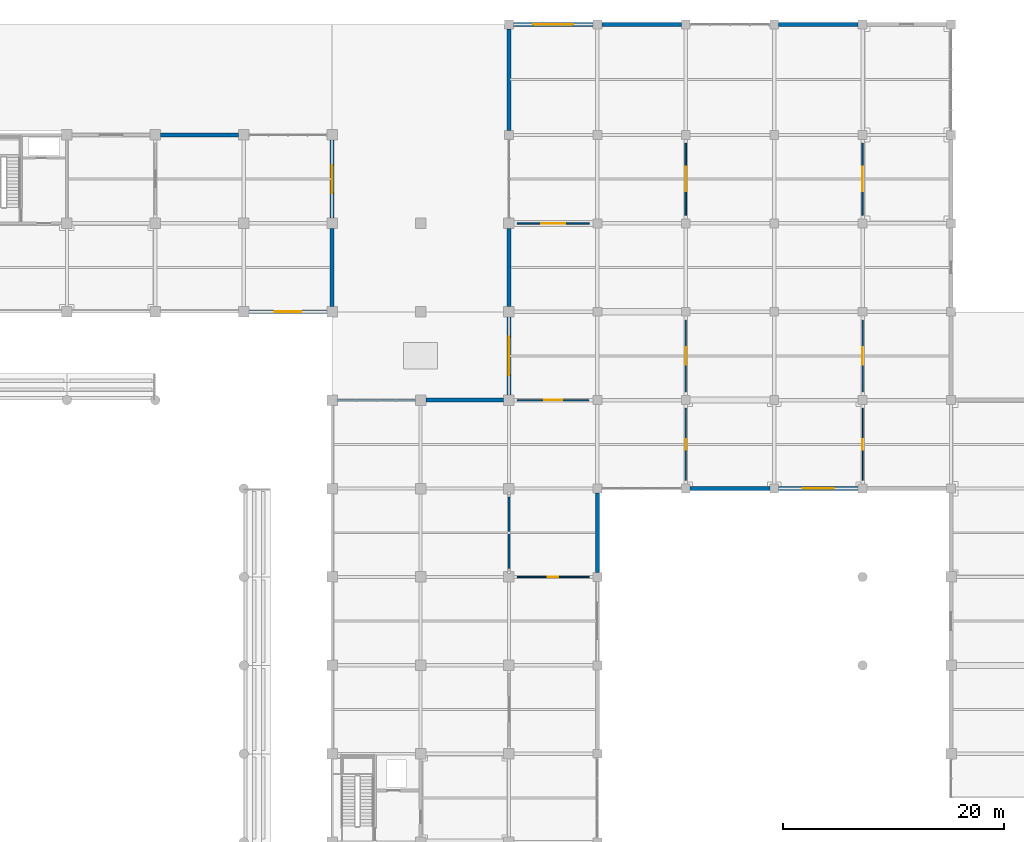
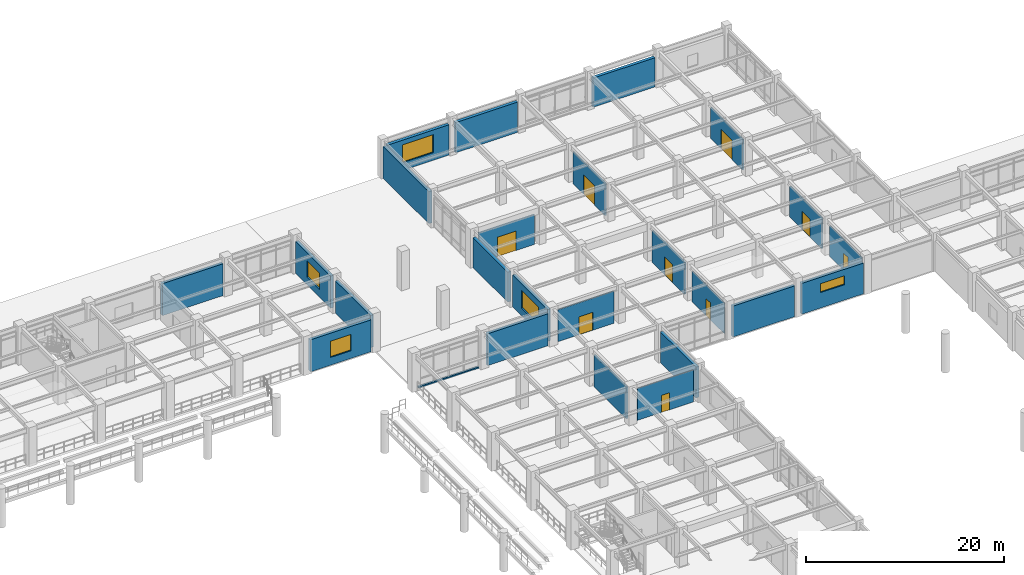
# One storey, part 81 of 109: 25 walls, 9 doors, 5 windows, 14 openings.
"""IFC4 building model written with IfcOpenShell, lengths in metres."""

import ifcopenshell
import ifcopenshell.guid

model = None  # the IFC model being written
_history = None  # IfcOwnerHistory: only IFC2X3 demands one
_inside = {}  # id of a spatial element -> (the spatial element, [elements in it])
_under = {}  # id of a project, library or spatial element -> (it, [spatial elements below it])
_declared = {}  # id of a project -> (the project, [libraries it declares])
_typed = {}  # id of a type object -> (the type object, [elements of that type])
_made_of = {}  # id of a material, layer set ... -> (it, [elements and type objects made of it])


def new_model(schema):
    """Start an empty IFC model of exactly this schema.

    Asked for "IFC4X3", IfcOpenShell would pick the latest addendum, in which some entities
    have other attributes; the version numbers below select the first issue.
    IFC2X3 requires an IfcOwnerHistory on every rooted entity: one is made here for all.
    """
    global model, _history
    if schema == "IFC4X3":
        model = ifcopenshell.file(schema_version=(4, 3, 0, 0))
    else:
        model = ifcopenshell.file(schema=schema)
    _inside.clear()
    _under.clear()
    _declared.clear()
    _typed.clear()
    _made_of.clear()
    _history = None
    if model.schema == "IFC2X3":
        org = make("IfcOrganization", Name="unknown")
        user = make(
            "IfcPersonAndOrganization",
            ThePerson=make("IfcPerson", FamilyName="unknown"),
            TheOrganization=org,
        )
        app = make(
            "IfcApplication",
            ApplicationDeveloper=org,
            Version="unknown",
            ApplicationFullName="unknown",
            ApplicationIdentifier="unknown",
        )
        _history = make(
            "IfcOwnerHistory",
            OwningUser=user,
            OwningApplication=app,
            ChangeAction="ADDED",
            CreationDate=0,
        )
    return model


def make(cls, **values):
    """One entity of the class cls with the attributes given. An attribute that is None is left unset."""
    return model.create_entity(
        cls, **{name: value for name, value in values.items() if value is not None}
    )


def rooted(cls, **values):
    """An entity with a GlobalId (a new one), such as an element, a storey or a relation."""
    return make(cls, GlobalId=ifcopenshell.guid.new(), OwnerHistory=_history, **values)


def si_unit(unit_type, name, prefix=None):
    """IfcSIUnit, for example si_unit("LENGTHUNIT", "METRE", prefix="MILLI")."""
    return make("IfcSIUnit", UnitType=unit_type, Prefix=prefix, Name=name)


def assignment(units):
    """IfcUnitAssignment: the units of a project."""
    return None if units is None else make("IfcUnitAssignment", Units=units)


def point(xyz):
    """IfcCartesianPoint."""
    return None if xyz is None else make("IfcCartesianPoint", Coordinates=xyz)


def direction(xyz):
    """IfcDirection."""
    return None if xyz is None else make("IfcDirection", DirectionRatios=xyz)


def frame(location, z_axis=None, x_axis=None):
    """IfcAxis2Placement3D, a coordinate frame: its origin and axes. An axis left out is left unset."""
    return make(
        "IfcAxis2Placement3D",
        Location=point(location),
        Axis=direction(z_axis),
        RefDirection=direction(x_axis),
    )


def frame_2d(location, x_axis=None):
    """IfcAxis2Placement2D, a coordinate frame in the plane: its origin and x axis."""
    return make(
        "IfcAxis2Placement2D", Location=point(location), RefDirection=direction(x_axis)
    )


def origin():
    """The frame at (0, 0, 0) with its axes left unset."""
    return frame((0.0, 0.0, 0.0))


def place(relative_to, where):
    """IfcLocalPlacement: puts the frame where relative to a parent placement (None: the world)."""
    return make(
        "IfcLocalPlacement", PlacementRelTo=relative_to, RelativePlacement=where
    )


def context(
    kind, dimensions, precision=None, world=None, true_north=None, identifier=None
):
    """IfcGeometricRepresentationContext, for example the 3D "Model" context."""
    return make(
        "IfcGeometricRepresentationContext",
        ContextIdentifier=identifier,
        ContextType=kind,
        CoordinateSpaceDimension=dimensions,
        Precision=precision,
        WorldCoordinateSystem=world,
        TrueNorth=true_north,
    )


def subcontext(parent, identifier, kind, view, scale=None):
    """IfcGeometricRepresentationSubContext, for example "Body" below "Model"."""
    return make(
        "IfcGeometricRepresentationSubContext",
        ContextIdentifier=identifier,
        ContextType=kind,
        ParentContext=parent,
        TargetScale=scale,
        TargetView=view,
    )


def project(units=None, contexts=None):
    """IfcProject with its units and contexts."""
    return rooted(
        "IfcProject",
        Name="project",
        RepresentationContexts=contexts,
        UnitsInContext=assignment(units),
    )


def spatial(cls, under=None, at=None, **own):
    """A site, building, storey or space (cls), placed at a placement, below another one or the project."""
    s = rooted(cls, ObjectPlacement=at, **own)
    if under is not None:
        _under.setdefault(under.id(), (under, []))[1].append(s)
    return s


def profile(cls, at=None, kind="AREA", **sizes):
    """A parametric profile (cls). Its sizes go by their IFC names, for example OverallWidth=200.0."""
    return make(cls, ProfileType=kind, Position=at, **sizes)


def rectangle(**sizes):
    """IfcRectangleProfileDef."""
    return profile("IfcRectangleProfileDef", **sizes)


def extrude(swept, where, along, depth):
    """IfcExtrudedAreaSolid: the profile swept, set in the frame where, extruded along a direction by depth."""
    return make(
        "IfcExtrudedAreaSolid",
        SweptArea=swept,
        Position=where,
        ExtrudedDirection=direction(along),
        Depth=depth,
    )


def shape(context_of_items, identifier, shape_type, items):
    """IfcShapeRepresentation: the items that make up one representation, for example the "Body"."""
    return make(
        "IfcShapeRepresentation",
        ContextOfItems=context_of_items,
        RepresentationIdentifier=identifier,
        RepresentationType=shape_type,
        Items=items,
    )


def material(Name=None, Category=None):
    """IfcMaterial."""
    return make("IfcMaterial", Name=Name, Category=Category)


def layer(
    of_material, thickness, ventilated=None, Name=None, Category=None, Priority=None
):
    """IfcMaterialLayer: one layer of a wall or slab, of a material (None: an air gap)."""
    return make(
        "IfcMaterialLayer",
        Material=of_material,
        LayerThickness=thickness,
        IsVentilated=ventilated,
        Name=Name,
        Category=Category,
        Priority=Priority,
    )


def layer_set(layers, Name=None):
    """IfcMaterialLayerSet."""
    return make("IfcMaterialLayerSet", MaterialLayers=layers, LayerSetName=Name)


def made_of(thing, what):
    """Note that an element or type object is made of a material, layer set ...; save() writes the relation."""
    if what is not None:
        _made_of.setdefault(what.id(), (what, []))[1].append(thing)
    return thing


def type_object(cls, material=None, **own):
    """A type object (cls), such as IfcWallType, which elements share."""
    return made_of(rooted(cls, **own), material)


def element(
    cls,
    number,
    at=None,
    inside=None,
    cuts=None,
    type_object=None,
    material=None,
    context=None,
    identifier="Body",
    shape_type=None,
    held_by="IfcProductDefinitionShape",
    body=None,
    shapes=None,
    **own,
):
    """One element of the class cls, such as IfcWall. Its Tag is "e" and its number.

    at: its placement. inside: the storey or other place that contains it. cuts: it is an
    opening in that element (IfcRelVoidsElement). A single representation is given by context,
    identifier, shape_type and body (its items); several are given by shapes. held_by: the class
    of the entity that holds the representations. save() writes the other relations.
    """
    e = rooted(cls, Tag="e%d" % number, ObjectPlacement=at, **own)
    if body is not None:
        shapes = [shape(context, identifier, shape_type, body)]
    if shapes is not None:
        e.Representation = make(held_by, Representations=shapes)
    if inside is not None:
        _inside.setdefault(inside.id(), (inside, []))[1].append(e)
    if cuts is not None:
        rooted(
            "IfcRelVoidsElement", RelatingBuildingElement=cuts, RelatedOpeningElement=e
        )
    if type_object is not None:
        _typed.setdefault(type_object.id(), (type_object, []))[1].append(e)
    return made_of(e, material)


def fill(opening, filler):
    """IfcRelFillsElement: the door or window that sits in an opening."""
    return rooted(
        "IfcRelFillsElement",
        RelatingOpeningElement=opening,
        RelatedBuildingElement=filler,
    )


def aggregate(whole, parts):
    """IfcRelAggregates: a whole, such as a stair, and the parts it consists of."""
    return rooted("IfcRelAggregates", RelatingObject=whole, RelatedObjects=parts)


def save(model, path):
    """Write the relations noted so far, then the file.

    IfcRelAggregates (storeys below a building ...), IfcRelContainedInSpatialStructure (elements
    in a storey), IfcRelDefinesByType, IfcRelAssociatesMaterial and IfcRelDeclares: one each for
    every whole, place, type object, material and project.
    """
    for whole, parts in _under.values():
        aggregate(whole, parts)
    for where, things in _inside.values():
        rooted(
            "IfcRelContainedInSpatialStructure",
            RelatedElements=things,
            RelatingStructure=where,
        )
    for kind, things in _typed.values():
        rooted("IfcRelDefinesByType", RelatedObjects=things, RelatingType=kind)
    for what, things in _made_of.values():
        rooted("IfcRelAssociatesMaterial", RelatedObjects=things, RelatingMaterial=what)
    for by, libraries in _declared.values():
        rooted("IfcRelDeclares", RelatingContext=by, RelatedDefinitions=libraries)
    model.write(path)


model = new_model("IFC4")

# Units and contexts
model_context = context("Model", 3, precision=1e-05, world=origin(), true_north=direction((0.0, 1.0)))
body_context = subcontext(model_context, "Body", "Model", "MODEL_VIEW")
ifc_project = project(units=[si_unit("LENGTHUNIT", "METRE"), si_unit("AREAUNIT", "SQUARE_METRE"), si_unit("VOLUMEUNIT", "CUBIC_METRE"), si_unit("PLANEANGLEUNIT", "RADIAN"), si_unit("MASSUNIT", "GRAM", prefix="KILO")], contexts=[model_context])

# Site, building, storey
site_placement = place(None, origin())
site = spatial("IfcSite", under=ifc_project, at=site_placement, CompositionType="ELEMENT")
building_placement = place(site_placement, origin())
building = spatial("IfcBuilding", under=site, at=building_placement, Name="Haebicheon Civic Stadium", CompositionType="ELEMENT")
storey_placement = place(building_placement, frame((0.0, 0.0, 9.60009765625)))
storey = spatial("IfcBuildingStorey", under=building, at=storey_placement, Name="L03", CompositionType="ELEMENT", Elevation=9.60009765625)

# Wall
ifc_material_1 = material(Name="Concrete C40/50", Category="concrete")
ifc_layer_1 = layer(ifc_material_1, 0.35009765625, Name="Concrete C40/50")
ifc_layer_set_1 = layer_set([ifc_layer_1], Name="Concrete C40/50")
wall_type_1 = type_object("IfcWallType", Name="EW-BM-350", PredefinedType="SOLIDWALL", material=ifc_layer_set_1)
wall_1_placement = place(storey_placement, frame((128.47509765625, 168.0, 0.0), z_axis=(0.0, 0.0, 1.0), x_axis=(1.0, 0.0, 0.0)))
element("IfcWall", 1, at=wall_1_placement, inside=storey, type_object=wall_type_1, material=ifc_layer_set_1, Name="L03 board-marked concrete facade wall 16-21-N", PredefinedType="SOLIDWALL", context=body_context, shape_type="SweptSolid", body=[
    extrude(rectangle(XDim=7.0498046875, YDim=0.35009765625, at=frame_2d((3.52490234375, 0.0))), origin(), (0.0, 0.0, 1.0), 3.929931640625),
])

# Wall, opening, window
wall_2_placement = place(storey_placement, frame((136.47509765625, 152.0, 0.0), z_axis=(0.0, 0.0, 1.0), x_axis=(1.0, 0.0, 0.0)))
wall_2 = element("IfcWall", 2, at=wall_2_placement, inside=storey, type_object=wall_type_1, material=ifc_layer_set_1, Name="L03 board-marked concrete facade wall 17-19-S", PredefinedType="SOLIDWALL", context=body_context, shape_type="SweptSolid", body=[
    extrude(rectangle(XDim=7.0498046875, YDim=0.35009765625, at=frame_2d((3.52490234375, 0.0))), origin(), (0.0, 0.0, 1.0), 3.929931640625),
])
opening_1_placement = place(wall_2_placement, frame((2.324951171875, 0.0, 0.949951171875)))
opening_1 = element("IfcOpeningElement", 3, at=opening_1_placement, cuts=wall_2, Name="Opening WIN-240x200", PredefinedType="OPENING", context=body_context, shape_type="SweptSolid", body=[
    extrude(rectangle(XDim=2.39990234375, YDim=2.0, at=frame_2d((1.199951171875, 1.0))), frame((0.0, 0.18505859375, 0.0), z_axis=(0.0, -1.0, 0.0), x_axis=(1.0, 0.0, 0.0)), (0.0, 0.0, 1.0), 0.3701171875),
])
ifc_material_2 = material(Name="Anodised aluminium and laminated glass", Category="aluminium")
window_type_1 = type_object("IfcWindowType", Name="WIN-240x200", PartitioningType="SINGLE_PANEL", PredefinedType="WINDOW", material=ifc_material_2)
window_1_placement = place(opening_1_placement, origin())
window_1 = element("IfcWindow", 4, at=window_1_placement, inside=storey, type_object=window_type_1, material=ifc_material_2, Name="L03 facade window 077", OverallHeight=2.0, OverallWidth=2.39990234375, PartitioningType="SINGLE_PANEL", PredefinedType="WINDOW", context=body_context, shape_type="SweptSolid", body=[
    extrude(rectangle(XDim=2.39990234375, YDim=2.0, at=frame_2d((1.199951171875, 1.0))), frame((0.0, 0.030029296875, 0.0), z_axis=(0.0, -1.0, 0.0), x_axis=(1.0, 0.0, 0.0)), (0.0, 0.0, 1.0), 0.06005859375),
])
fill(opening_1, window_1)

# Wall
wall_3_placement = place(storey_placement, frame((144.0, 152.47509765625, 0.0), z_axis=(0.0, 0.0, 1.0), x_axis=(0.0, 1.0, 0.0)))
element("IfcWall", 5, at=wall_3_placement, inside=storey, type_object=wall_type_1, material=ifc_layer_set_1, Name="L03 board-marked concrete facade wall 18-19-E", PredefinedType="SOLIDWALL", context=body_context, shape_type="SweptSolid", body=[
    extrude(rectangle(XDim=7.0498046875, YDim=0.35009765625, at=frame_2d((3.52490234375, 0.0))), origin(), (0.0, 0.0, 1.0), 3.949951171875),
])

# Wall, opening, window
wall_4_placement = place(storey_placement, frame((144.0, 160.47509765625, 0.0), z_axis=(0.0, 0.0, 1.0), x_axis=(0.0, 1.0, 0.0)))
wall_4 = element("IfcWall", 6, at=wall_4_placement, inside=storey, type_object=wall_type_1, material=ifc_layer_set_1, Name="L03 board-marked concrete facade wall 18-20-E", PredefinedType="SOLIDWALL", context=body_context, shape_type="SweptSolid", body=[
    extrude(rectangle(XDim=7.0498046875, YDim=0.35009765625, at=frame_2d((3.52490234375, 0.0))), origin(), (0.0, 0.0, 1.0), 3.949951171875),
])
opening_2_placement = place(wall_4_placement, frame((2.25, 0.0, 0.949951171875)))
opening_2 = element("IfcOpeningElement", 7, at=opening_2_placement, cuts=wall_4, Name="Opening WIN-255x200", PredefinedType="OPENING", context=body_context, shape_type="SweptSolid", body=[
    extrude(rectangle(XDim=2.550048828125, YDim=2.0, at=frame_2d((1.27490234375, 1.0))), frame((0.0, 0.18505859375, 0.0), z_axis=(0.0, -1.0, 0.0), x_axis=(1.0, 0.0, 0.0)), (0.0, 0.0, 1.0), 0.3701171875),
])
ifc_material_3 = material(Name="Anodised aluminium and laminated glass", Category="aluminium")
window_type_2 = type_object("IfcWindowType", Name="WIN-255x200", PartitioningType="SINGLE_PANEL", PredefinedType="WINDOW", material=ifc_material_3)
window_2_placement = place(opening_2_placement, origin())
window_2 = element("IfcWindow", 8, at=window_2_placement, inside=storey, type_object=window_type_2, material=ifc_material_3, Name="L03 facade window 078", OverallHeight=2.0, OverallWidth=2.550048828125, PartitioningType="SINGLE_PANEL", PredefinedType="WINDOW", context=body_context, shape_type="SweptSolid", body=[
    extrude(rectangle(XDim=2.550048828125, YDim=2.0, at=frame_2d((1.27490234375, 1.0))), frame((0.0, 0.030029296875, 0.0), z_axis=(0.0, -1.0, 0.0), x_axis=(1.0, 0.0, 0.0)), (0.0, 0.0, 1.0), 0.06005859375),
])
fill(opening_2, window_2)

# Walls
wall_5_placement = place(storey_placement, frame((152.47509765625, 144.0, 0.0), z_axis=(0.0, 0.0, 1.0), x_axis=(1.0, 0.0, 0.0)))
element("IfcWall", 9, at=wall_5_placement, inside=storey, type_object=wall_type_1, material=ifc_layer_set_1, Name="L03 board-marked concrete facade wall 19-18-N", PredefinedType="SOLIDWALL", context=body_context, shape_type="SweptSolid", body=[
    extrude(rectangle(XDim=7.0498046875, YDim=0.35009765625, at=frame_2d((3.52490234375, 0.0))), origin(), (0.0, 0.0, 1.0), 3.929931640625),
])
wall_6_placement = place(storey_placement, frame((168.0, 128.39990234375, 0.0), z_axis=(0.0, 0.0, 1.0), x_axis=(0.0, 1.0, 0.0)))
element("IfcWall", 10, at=wall_6_placement, inside=storey, type_object=wall_type_1, material=ifc_layer_set_1, Name="L03 board-marked concrete facade wall 21-16-E", PredefinedType="SOLIDWALL", context=body_context, shape_type="SweptSolid", body=[
    extrude(rectangle(XDim=7.2001953125, YDim=0.35009765625, at=frame_2d((3.60009765625, 0.0))), origin(), (0.0, 0.0, 1.0), 3.789794921875),
])

# Wall, opening, window
wall_7_placement = place(storey_placement, frame((160.0, 144.47509765625, 0.0), z_axis=(0.0, 0.0, 1.0), x_axis=(0.0, 1.0, 0.0)))
wall_7 = element("IfcWall", 11, at=wall_7_placement, inside=storey, type_object=wall_type_1, material=ifc_layer_set_1, Name="L03 board-marked concrete facade wall 20-18-W", PredefinedType="SOLIDWALL", context=body_context, shape_type="SweptSolid", body=[
    extrude(rectangle(XDim=7.0498046875, YDim=0.35009765625, at=frame_2d((3.52490234375, 0.0))), origin(), (0.0, 0.0, 1.0), 3.929931640625),
])
opening_3_placement = place(wall_7_placement, frame((1.800048828125, 0.0, 0.949951171875)))
opening_3 = element("IfcOpeningElement", 12, at=opening_3_placement, cuts=wall_7, Name="Opening WIN-345x220", PredefinedType="OPENING", context=body_context, shape_type="SweptSolid", body=[
    extrude(rectangle(XDim=3.449951171875, YDim=2.199951171875, at=frame_2d((1.72509765625, 1.10009765625))), frame((0.0, 0.18505859375, 0.0), z_axis=(0.0, -1.0, 0.0), x_axis=(1.0, 0.0, 0.0)), (0.0, 0.0, 1.0), 0.3701171875),
])
ifc_material_4 = material(Name="Anodised aluminium and laminated glass", Category="aluminium")
window_type_3 = type_object("IfcWindowType", Name="WIN-345x220", PartitioningType="SINGLE_PANEL", PredefinedType="WINDOW", material=ifc_material_4)
window_3_placement = place(opening_3_placement, origin())
window_3 = element("IfcWindow", 13, at=window_3_placement, inside=storey, type_object=window_type_3, material=ifc_material_4, Name="L03 facade window 084", OverallHeight=2.199951171875, OverallWidth=3.449951171875, PartitioningType="SINGLE_PANEL", PredefinedType="WINDOW", context=body_context, shape_type="SweptSolid", body=[
    extrude(rectangle(XDim=3.449951171875, YDim=2.199951171875, at=frame_2d((1.72509765625, 1.10009765625))), frame((0.0, 0.030029296875, 0.0), z_axis=(0.0, -1.0, 0.0), x_axis=(1.0, 0.0, 0.0)), (0.0, 0.0, 1.0), 0.06005859375),
])
fill(opening_3, window_3)

# Wall
wall_8_placement = place(storey_placement, frame((160.0, 152.47509765625, 0.0), z_axis=(0.0, 0.0, 1.0), x_axis=(0.0, 1.0, 0.0)))
element("IfcWall", 14, at=wall_8_placement, inside=storey, type_object=wall_type_1, material=ifc_layer_set_1, Name="L03 board-marked concrete facade wall 20-19-W", PredefinedType="SOLIDWALL", context=body_context, shape_type="SweptSolid", body=[
    extrude(rectangle(XDim=7.0498046875, YDim=0.35009765625, at=frame_2d((3.52490234375, 0.0))), origin(), (0.0, 0.0, 1.0), 3.679931640625),
])

# Wall, opening, window
wall_9_placement = place(storey_placement, frame((160.39990234375, 178.0, 0.0), z_axis=(0.0, 0.0, 1.0), x_axis=(1.0, 0.0, 0.0)))
wall_9 = element("IfcWall", 15, at=wall_9_placement, inside=storey, type_object=wall_type_1, material=ifc_layer_set_1, Name="L03 board-marked concrete facade wall 20-22-N", PredefinedType="SOLIDWALL", context=body_context, shape_type="SweptSolid", body=[
    extrude(rectangle(XDim=7.2001953125, YDim=0.35009765625, at=frame_2d((3.60009765625, 0.0))), origin(), (0.0, 0.0, 1.0), 3.72998046875),
])
opening_4_placement = place(wall_9_placement, frame((1.800048828125, 0.0, 0.949951171875)))
opening_4 = element("IfcOpeningElement", 16, at=opening_4_placement, cuts=wall_9, Name="Opening WIN-360x220", PredefinedType="OPENING", context=body_context, shape_type="SweptSolid", body=[
    extrude(rectangle(XDim=3.60009765625, YDim=2.199951171875, at=frame_2d((1.800048828125, 1.10009765625))), frame((0.0, 0.18505859375, 0.0), z_axis=(0.0, -1.0, 0.0), x_axis=(1.0, 0.0, 0.0)), (0.0, 0.0, 1.0), 0.3701171875),
])
ifc_material_5 = material(Name="Anodised aluminium and laminated glass", Category="aluminium")
window_type_4 = type_object("IfcWindowType", Name="WIN-360x220", PartitioningType="SINGLE_PANEL", PredefinedType="WINDOW", material=ifc_material_5)
window_4_placement = place(opening_4_placement, origin())
window_4 = element("IfcWindow", 17, at=window_4_placement, inside=storey, type_object=window_type_4, material=ifc_material_5, Name="L03 facade window 085", OverallHeight=2.199951171875, OverallWidth=3.60009765625, PartitioningType="SINGLE_PANEL", PredefinedType="WINDOW", context=body_context, shape_type="SweptSolid", body=[
    extrude(rectangle(XDim=3.60009765625, YDim=2.199951171875, at=frame_2d((1.800048828125, 1.10009765625))), frame((0.0, 0.030029296875, 0.0), z_axis=(0.0, -1.0, 0.0), x_axis=(1.0, 0.0, 0.0)), (0.0, 0.0, 1.0), 0.06005859375),
])
fill(opening_4, window_4)

# Walls
wall_10_placement = place(storey_placement, frame((160.0, 168.39990234375, 0.0), z_axis=(0.0, 0.0, 1.0), x_axis=(0.0, 1.0, 0.0)))
element("IfcWall", 18, at=wall_10_placement, inside=storey, type_object=wall_type_1, material=ifc_layer_set_1, Name="L03 board-marked concrete facade wall 20-21-W", PredefinedType="SOLIDWALL", context=body_context, shape_type="SweptSolid", body=[
    extrude(rectangle(XDim=9.2001953125, YDim=0.35009765625, at=frame_2d((4.60009765625, 0.0))), origin(), (0.0, 0.0, 1.0), 3.929931640625),
])
wall_11_placement = place(storey_placement, frame((168.39990234375, 178.0, 0.0), z_axis=(0.0, 0.0, 1.0), x_axis=(1.0, 0.0, 0.0)))
element("IfcWall", 19, at=wall_11_placement, inside=storey, type_object=wall_type_1, material=ifc_layer_set_1, Name="L03 board-marked concrete facade wall 21-22-N", PredefinedType="SOLIDWALL", context=body_context, shape_type="SweptSolid", body=[
    extrude(rectangle(XDim=7.2001953125, YDim=0.35009765625, at=frame_2d((3.60009765625, 0.0))), origin(), (0.0, 0.0, 1.0), 3.72998046875),
])
wall_12_placement = place(storey_placement, frame((176.39990234375, 136.0, 0.0), z_axis=(0.0, 0.0, 1.0), x_axis=(1.0, 0.0, 0.0)))
element("IfcWall", 20, at=wall_12_placement, inside=storey, type_object=wall_type_1, material=ifc_layer_set_1, Name="L03 board-marked concrete facade wall 22-17-S", PredefinedType="SOLIDWALL", context=body_context, shape_type="SweptSolid", body=[
    extrude(rectangle(XDim=7.2001953125, YDim=0.35009765625, at=frame_2d((3.60009765625, 0.0))), origin(), (0.0, 0.0, 1.0), 3.789794921875),
])

# Wall, opening, window
wall_13_placement = place(storey_placement, frame((184.39990234375, 136.0, 0.0), z_axis=(0.0, 0.0, 1.0), x_axis=(1.0, 0.0, 0.0)))
wall_13 = element("IfcWall", 21, at=wall_13_placement, inside=storey, type_object=wall_type_1, material=ifc_layer_set_1, Name="L03 board-marked concrete facade wall 23-17-S", PredefinedType="SOLIDWALL", context=body_context, shape_type="SweptSolid", body=[
    extrude(rectangle(XDim=7.2001953125, YDim=0.35009765625, at=frame_2d((3.60009765625, 0.0))), origin(), (0.0, 0.0, 1.0), 3.789794921875),
])
opening_5_placement = place(wall_13_placement, frame((2.199951171875, 0.0, 1.89990234375)))
opening_5 = element("IfcOpeningElement", 22, at=opening_5_placement, cuts=wall_13, Name="Opening WIN-280x110", PredefinedType="OPENING", context=body_context, shape_type="SweptSolid", body=[
    extrude(rectangle(XDim=2.800048828125, YDim=1.10009765625, at=frame_2d((1.39990234375, 0.550048828125))), frame((0.0, 0.18505859375, 0.0), z_axis=(0.0, -1.0, 0.0), x_axis=(1.0, 0.0, 0.0)), (0.0, 0.0, 1.0), 0.3701171875),
])
ifc_material_6 = material(Name="Anodised aluminium and laminated glass", Category="aluminium")
window_type_5 = type_object("IfcWindowType", Name="WIN-280x110", PartitioningType="SINGLE_PANEL", PredefinedType="LIGHTDOME", material=ifc_material_6)
window_5_placement = place(opening_5_placement, origin())
window_5 = element("IfcWindow", 23, at=window_5_placement, inside=storey, type_object=window_type_5, material=ifc_material_6, Name="L03 facade window 087", OverallHeight=1.10009765625, OverallWidth=2.800048828125, PartitioningType="SINGLE_PANEL", PredefinedType="LIGHTDOME", context=body_context, shape_type="SweptSolid", body=[
    extrude(rectangle(XDim=2.800048828125, YDim=1.10009765625, at=frame_2d((1.39990234375, 0.550048828125))), frame((0.0, 0.030029296875, 0.0), z_axis=(0.0, -1.0, 0.0), x_axis=(1.0, 0.0, 0.0)), (0.0, 0.0, 1.0), 0.06005859375),
])
fill(opening_5, window_5)

# Walls
wall_14_placement = place(storey_placement, frame((184.39990234375, 178.0, 0.0), z_axis=(0.0, 0.0, 1.0), x_axis=(1.0, 0.0, 0.0)))
element("IfcWall", 24, at=wall_14_placement, inside=storey, type_object=wall_type_1, material=ifc_layer_set_1, Name="L03 board-marked concrete facade wall 23-22-N", PredefinedType="SOLIDWALL", context=body_context, shape_type="SweptSolid", body=[
    extrude(rectangle(XDim=7.2001953125, YDim=0.35009765625, at=frame_2d((3.60009765625, 0.0))), origin(), (0.0, 0.0, 1.0), 3.58984375),
])
ifc_material_7 = material(Name="Precast concrete C40/50", Category="concrete")
ifc_layer_2 = layer(ifc_material_7, 0.219970703125, Name="Precast concrete C40/50")
ifc_layer_set_2 = layer_set([ifc_layer_2], Name="Precast concrete C40/50")
wall_type_2 = type_object("IfcWallType", Name="EW-PAR-220", PredefinedType="PARAPET", material=ifc_layer_set_2)
wall_15_placement = place(storey_placement, frame((144.47509765625, 144.0, 0.0), z_axis=(0.0, 0.0, 1.0), x_axis=(1.0, 0.0, 0.0)))
element("IfcWall", 25, at=wall_15_placement, inside=storey, type_object=wall_type_2, material=ifc_layer_set_2, Name="L03 curtain-wall concrete upstand kerb", PredefinedType="PARAPET", context=body_context, shape_type="SweptSolid", body=[
    extrude(rectangle(XDim=7.0498046875, YDim=0.219970703125, at=frame_2d((3.52490234375, 0.0))), origin(), (0.0, 0.0, 1.0), 0.159912109375),
])
ifc_material_8 = material(Name="Concrete C35/45", Category="concrete")
ifc_layer_3 = layer(ifc_material_8, 0.199951171875, Name="Concrete C35/45")
ifc_layer_set_3 = layer_set([ifc_layer_3], Name="Concrete C35/45")
wall_type_3 = type_object("IfcWallType", Name="IW-FIR-200", PredefinedType="PARTITIONING", material=ifc_layer_set_3)
wall_16_placement = place(storey_placement, frame((160.0, 128.75, 0.0), z_axis=(0.0, 0.0, 1.0), x_axis=(0.0, 1.0, 0.0)))
element("IfcWall", 26, at=wall_16_placement, inside=storey, type_object=wall_type_3, material=ifc_layer_set_3, Name="L03 braced-frame solid fire wall 20-16", PredefinedType="PARTITIONING", context=body_context, shape_type="SweptSolid", body=[
    extrude(rectangle(XDim=6.5, YDim=0.199951171875, at=frame_2d((3.25, 0.0))), origin(), (0.0, 0.0, 1.0), 3.929931640625),
])

# Wall, opening, door
ifc_material_9 = material(Name="Anodised aluminium and laminated glass", Category="aluminium")
ifc_layer_4 = layer(ifc_material_9, 0.10009765625, Name="Anodised aluminium and laminated glass")
ifc_layer_set_4 = layer_set([ifc_layer_4], Name="Anodised aluminium and laminated glass")
wall_type_4 = type_object("IfcWallType", Name="IW-PRT-100", PredefinedType="PARTITIONING", material=ifc_layer_set_4)
wall_17_placement = place(storey_placement, frame((160.75, 128.0, 0.0), z_axis=(0.0, 0.0, 1.0), x_axis=(1.0, 0.0, 0.0)))
wall_17 = element("IfcWall", 27, at=wall_17_placement, inside=storey, type_object=wall_type_4, material=ifc_layer_set_4, Name="L03 Community Seminar Room partition wall", PredefinedType="PARTITIONING", context=body_context, shape_type="SweptSolid", body=[
    extrude(rectangle(XDim=6.5, YDim=0.10009765625, at=frame_2d((3.25, 0.0))), origin(), (0.0, 0.0, 1.0), 3.929931640625),
])
opening_6_placement = place(wall_17_placement, frame((2.77490234375, 0.0, 0.0)))
opening_6 = element("IfcOpeningElement", 28, at=opening_6_placement, cuts=wall_17, Name="Opening D-L03-323", PredefinedType="OPENING", context=body_context, shape_type="SweptSolid", body=[
    extrude(rectangle(XDim=0.949951171875, YDim=2.10009765625, at=frame_2d((0.47509765625, 1.050048828125))), frame((0.0, 0.06005859375, 0.0), z_axis=(0.0, -1.0, 0.0), x_axis=(1.0, 0.0, 0.0)), (0.0, 0.0, 1.0), 0.1201171875),
])
ifc_material_10 = material(Name="Engineered hardwood timber", Category="wood")
door_type_1 = type_object("IfcDoorType", Name="ID-RM-0950", OperationType="NOTDEFINED", PredefinedType="DOOR", material=ifc_material_10)
door_1_placement = place(opening_6_placement, origin())
door_1 = element("IfcDoor", 29, at=door_1_placement, inside=storey, type_object=door_type_1, material=ifc_material_10, Name="L03 Community Seminar Room entrance door D-L03-323", OperationType="SINGLE_SWING_LEFT", OverallHeight=2.10009765625, OverallWidth=0.949951171875, PredefinedType="DOOR", context=body_context, shape_type="SweptSolid", body=[
    extrude(rectangle(XDim=0.949951171875, YDim=2.10009765625, at=frame_2d((0.47509765625, 1.050048828125))), frame((0.0, 0.02490234375, 0.0), z_axis=(0.0, -1.0, 0.0), x_axis=(1.0, 0.0, 0.0)), (0.0, 0.0, 1.0), 0.050048828125),
])
fill(opening_6, door_1)

wall_18_placement = place(storey_placement, frame((176.0, 136.75, 0.0), z_axis=(0.0, 0.0, 1.0), x_axis=(0.0, 1.0, 0.0)))
wall_18 = element("IfcWall", 30, at=wall_18_placement, inside=storey, type_object=wall_type_4, material=ifc_layer_set_4, Name="L03 Community Seminar Room partition wall", PredefinedType="PARTITIONING", context=body_context, shape_type="SweptSolid", body=[
    extrude(rectangle(XDim=6.5, YDim=0.10009765625, at=frame_2d((3.25, 0.0))), origin(), (0.0, 0.0, 1.0), 3.789794921875),
])
opening_7_placement = place(wall_18_placement, frame((2.77490234375, 0.0, 0.0)))
opening_7 = element("IfcOpeningElement", 31, at=opening_7_placement, cuts=wall_18, Name="Opening D-L03-329", PredefinedType="OPENING", context=body_context, shape_type="SweptSolid", body=[
    extrude(rectangle(XDim=0.949951171875, YDim=2.10009765625, at=frame_2d((0.47509765625, 1.050048828125))), frame((0.0, 0.06005859375, 0.0), z_axis=(0.0, -1.0, 0.0), x_axis=(1.0, 0.0, 0.0)), (0.0, 0.0, 1.0), 0.1201171875),
])
door_2_placement = place(opening_7_placement, origin())
door_2 = element("IfcDoor", 32, at=door_2_placement, inside=storey, type_object=door_type_1, material=ifc_material_10, Name="L03 Community Seminar Room entrance door D-L03-329", OperationType="SINGLE_SWING_RIGHT", OverallHeight=2.10009765625, OverallWidth=0.949951171875, PredefinedType="DOOR", context=body_context, shape_type="SweptSolid", body=[
    extrude(rectangle(XDim=0.949951171875, YDim=2.10009765625, at=frame_2d((0.47509765625, 1.050048828125))), frame((0.0, 0.02490234375, 0.0), z_axis=(0.0, -1.0, 0.0), x_axis=(1.0, 0.0, 0.0)), (0.0, 0.0, 1.0), 0.050048828125),
])
fill(opening_7, door_2)

wall_19_placement = place(storey_placement, frame((192.0, 136.75, 0.0), z_axis=(0.0, 0.0, 1.0), x_axis=(0.0, 1.0, 0.0)))
wall_19 = element("IfcWall", 33, at=wall_19_placement, inside=storey, type_object=wall_type_4, material=ifc_layer_set_4, Name="L03 Community Seminar Room partition wall", PredefinedType="PARTITIONING", context=body_context, shape_type="SweptSolid", body=[
    extrude(rectangle(XDim=6.5, YDim=0.10009765625, at=frame_2d((3.25, 0.0))), origin(), (0.0, 0.0, 1.0), 3.789794921875),
])
opening_8_placement = place(wall_19_placement, frame((2.77490234375, 0.0, 0.0)))
opening_8 = element("IfcOpeningElement", 34, at=opening_8_placement, cuts=wall_19, Name="Opening D-L03-335", PredefinedType="OPENING", context=body_context, shape_type="SweptSolid", body=[
    extrude(rectangle(XDim=0.949951171875, YDim=2.10009765625, at=frame_2d((0.47509765625, 1.050048828125))), frame((0.0, 0.06005859375, 0.0), z_axis=(0.0, -1.0, 0.0), x_axis=(1.0, 0.0, 0.0)), (0.0, 0.0, 1.0), 0.1201171875),
])
door_3_placement = place(opening_8_placement, origin())
door_3 = element("IfcDoor", 35, at=door_3_placement, inside=storey, type_object=door_type_1, material=ifc_material_10, Name="L03 Community Seminar Room entrance door D-L03-335", OperationType="SINGLE_SWING_LEFT", OverallHeight=2.10009765625, OverallWidth=0.949951171875, PredefinedType="DOOR", context=body_context, shape_type="SweptSolid", body=[
    extrude(rectangle(XDim=0.949951171875, YDim=2.10009765625, at=frame_2d((0.47509765625, 1.050048828125))), frame((0.0, 0.02490234375, 0.0), z_axis=(0.0, -1.0, 0.0), x_axis=(1.0, 0.0, 0.0)), (0.0, 0.0, 1.0), 0.050048828125),
])
fill(opening_8, door_3)

ifc_material_11 = material(Name="Gypsum plasterboard on steel studs", Category="gypsum")
ifc_layer_5 = layer(ifc_material_11, 0.14990234375, Name="Gypsum plasterboard on steel studs")
ifc_layer_set_5 = layer_set([ifc_layer_5], Name="Gypsum plasterboard on steel studs")
wall_type_5 = type_object("IfcWallType", Name="IW-PRT-150", PredefinedType="PARTITIONING", material=ifc_layer_set_5)
wall_20_placement = place(storey_placement, frame((160.75, 144.0, 0.0), z_axis=(0.0, 0.0, 1.0), x_axis=(1.0, 0.0, 0.0)))
wall_20 = element("IfcWall", 36, at=wall_20_placement, inside=storey, type_object=wall_type_5, material=ifc_layer_set_5, Name="L03 Supporters' Club Lounge partition wall", PredefinedType="PARTITIONING", context=body_context, shape_type="SweptSolid", body=[
    extrude(rectangle(XDim=6.5, YDim=0.14990234375, at=frame_2d((3.25, 0.0))), origin(), (0.0, 0.0, 1.0), 3.929931640625),
])
opening_9_placement = place(wall_20_placement, frame((2.449951171875, 0.0, 0.0)))
opening_9 = element("IfcOpeningElement", 37, at=opening_9_placement, cuts=wall_20, Name="Opening D-L03-324", PredefinedType="OPENING", context=body_context, shape_type="SweptSolid", body=[
    extrude(rectangle(XDim=1.60009765625, YDim=2.199951171875, at=frame_2d((0.800048828125, 1.10009765625))), frame((0.0, 0.0849609375, 0.0), z_axis=(0.0, -1.0, 0.0), x_axis=(1.0, 0.0, 0.0)), (0.0, 0.0, 1.0), 0.169921875),
])
ifc_material_12 = material(Name="Anodised aluminium and laminated glass", Category="aluminium")
door_type_2 = type_object("IfcDoorType", Name="ID-DBL-1600", OperationType="NOTDEFINED", PredefinedType="DOOR", material=ifc_material_12)
door_4_placement = place(opening_9_placement, origin())
door_4 = element("IfcDoor", 38, at=door_4_placement, inside=storey, type_object=door_type_2, material=ifc_material_12, Name="L03 Supporters' Club Lounge entrance door D-L03-324", OperationType="DOUBLE_SWING_LEFT", OverallHeight=2.199951171875, OverallWidth=1.60009765625, PredefinedType="DOOR", context=body_context, shape_type="SweptSolid", body=[
    extrude(rectangle(XDim=1.60009765625, YDim=2.199951171875, at=frame_2d((0.800048828125, 1.10009765625))), frame((0.0, 0.02490234375, 0.0), z_axis=(0.0, -1.0, 0.0), x_axis=(1.0, 0.0, 0.0)), (0.0, 0.0, 1.0), 0.050048828125),
])
fill(opening_9, door_4)

wall_21_placement = place(storey_placement, frame((160.75, 160.0, 0.0), z_axis=(0.0, 0.0, 1.0), x_axis=(1.0, 0.0, 0.0)))
wall_21 = element("IfcWall", 39, at=wall_21_placement, inside=storey, type_object=wall_type_5, material=ifc_layer_set_5, Name="L03 Civic Banquet Hall partition wall", PredefinedType="PARTITIONING", context=body_context, shape_type="SweptSolid", body=[
    extrude(rectangle(XDim=6.5, YDim=0.14990234375, at=frame_2d((3.25, 0.0))), origin(), (0.0, 0.0, 1.0), 3.679931640625),
])
opening_10_placement = place(wall_21_placement, frame((2.14990234375, 0.0, 0.0)))
opening_10 = element("IfcOpeningElement", 40, at=opening_10_placement, cuts=wall_21, Name="Opening D-L03-325", PredefinedType="OPENING", context=body_context, shape_type="SweptSolid", body=[
    extrude(rectangle(XDim=2.199951171875, YDim=2.39990234375, at=frame_2d((1.10009765625, 1.199951171875))), frame((0.0, 0.0849609375, 0.0), z_axis=(0.0, -1.0, 0.0), x_axis=(1.0, 0.0, 0.0)), (0.0, 0.0, 1.0), 0.169921875),
])
ifc_material_13 = material(Name="Engineered hardwood timber", Category="wood")
door_type_3 = type_object("IfcDoorType", Name="ID-DBL-2200", OperationType="NOTDEFINED", PredefinedType="DOOR", material=ifc_material_13)
door_5_placement = place(opening_10_placement, origin())
door_5 = element("IfcDoor", 41, at=door_5_placement, inside=storey, type_object=door_type_3, material=ifc_material_13, Name="L03 Civic Banquet Hall entrance door D-L03-325", OperationType="DOUBLE_SWING_LEFT", OverallHeight=2.39990234375, OverallWidth=2.199951171875, PredefinedType="DOOR", context=body_context, shape_type="SweptSolid", body=[
    extrude(rectangle(XDim=2.199951171875, YDim=2.39990234375, at=frame_2d((1.10009765625, 1.199951171875))), frame((0.0, 0.02490234375, 0.0), z_axis=(0.0, -1.0, 0.0), x_axis=(1.0, 0.0, 0.0)), (0.0, 0.0, 1.0), 0.050048828125),
])
fill(opening_10, door_5)

wall_22_placement = place(storey_placement, frame((176.0, 144.75, 0.0), z_axis=(0.0, 0.0, 1.0), x_axis=(0.0, 1.0, 0.0)))
wall_22 = element("IfcWall", 42, at=wall_22_placement, inside=storey, type_object=wall_type_5, material=ifc_layer_set_5, Name="L03 Supporters' Club Lounge partition wall", PredefinedType="PARTITIONING", context=body_context, shape_type="SweptSolid", body=[
    extrude(rectangle(XDim=6.5, YDim=0.14990234375, at=frame_2d((3.25, 0.0))), origin(), (0.0, 0.0, 1.0), 3.929931640625),
])
opening_11_placement = place(wall_22_placement, frame((2.449951171875, 0.0, 0.0)))
opening_11 = element("IfcOpeningElement", 43, at=opening_11_placement, cuts=wall_22, Name="Opening D-L03-330", PredefinedType="OPENING", context=body_context, shape_type="SweptSolid", body=[
    extrude(rectangle(XDim=1.60009765625, YDim=2.199951171875, at=frame_2d((0.800048828125, 1.10009765625))), frame((0.0, 0.0849609375, 0.0), z_axis=(0.0, -1.0, 0.0), x_axis=(1.0, 0.0, 0.0)), (0.0, 0.0, 1.0), 0.169921875),
])
door_6_placement = place(opening_11_placement, origin())
door_6 = element("IfcDoor", 44, at=door_6_placement, inside=storey, type_object=door_type_2, material=ifc_material_12, Name="L03 Supporters' Club Lounge entrance door D-L03-330", OperationType="DOUBLE_SWING_LEFT", OverallHeight=2.199951171875, OverallWidth=1.60009765625, PredefinedType="DOOR", context=body_context, shape_type="SweptSolid", body=[
    extrude(rectangle(XDim=1.60009765625, YDim=2.199951171875, at=frame_2d((0.800048828125, 1.10009765625))), frame((0.0, 0.02490234375, 0.0), z_axis=(0.0, -1.0, 0.0), x_axis=(1.0, 0.0, 0.0)), (0.0, 0.0, 1.0), 0.050048828125),
])
fill(opening_11, door_6)

wall_23_placement = place(storey_placement, frame((176.0, 160.75, 0.0), z_axis=(0.0, 0.0, 1.0), x_axis=(0.0, 1.0, 0.0)))
wall_23 = element("IfcWall", 45, at=wall_23_placement, inside=storey, type_object=wall_type_5, material=ifc_layer_set_5, Name="L03 Civic Banquet Hall partition wall", PredefinedType="PARTITIONING", context=body_context, shape_type="SweptSolid", body=[
    extrude(rectangle(XDim=6.5, YDim=0.14990234375, at=frame_2d((3.25, 0.0))), origin(), (0.0, 0.0, 1.0), 3.929931640625),
])
opening_12_placement = place(wall_23_placement, frame((2.14990234375, 0.0, 0.0)))
opening_12 = element("IfcOpeningElement", 46, at=opening_12_placement, cuts=wall_23, Name="Opening D-L03-331", PredefinedType="OPENING", context=body_context, shape_type="SweptSolid", body=[
    extrude(rectangle(XDim=2.199951171875, YDim=2.39990234375, at=frame_2d((1.10009765625, 1.199951171875))), frame((0.0, 0.0849609375, 0.0), z_axis=(0.0, -1.0, 0.0), x_axis=(1.0, 0.0, 0.0)), (0.0, 0.0, 1.0), 0.169921875),
])
door_7_placement = place(opening_12_placement, origin())
door_7 = element("IfcDoor", 47, at=door_7_placement, inside=storey, type_object=door_type_3, material=ifc_material_13, Name="L03 Civic Banquet Hall entrance door D-L03-331", OperationType="DOUBLE_SWING_LEFT", OverallHeight=2.39990234375, OverallWidth=2.199951171875, PredefinedType="DOOR", context=body_context, shape_type="SweptSolid", body=[
    extrude(rectangle(XDim=2.199951171875, YDim=2.39990234375, at=frame_2d((1.10009765625, 1.199951171875))), frame((0.0, 0.02490234375, 0.0), z_axis=(0.0, -1.0, 0.0), x_axis=(1.0, 0.0, 0.0)), (0.0, 0.0, 1.0), 0.050048828125),
])
fill(opening_12, door_7)

wall_24_placement = place(storey_placement, frame((192.0, 144.75, 0.0), z_axis=(0.0, 0.0, 1.0), x_axis=(0.0, 1.0, 0.0)))
wall_24 = element("IfcWall", 48, at=wall_24_placement, inside=storey, type_object=wall_type_5, material=ifc_layer_set_5, Name="L03 Supporters' Club Lounge partition wall", PredefinedType="PARTITIONING", context=body_context, shape_type="SweptSolid", body=[
    extrude(rectangle(XDim=6.5, YDim=0.14990234375, at=frame_2d((3.25, 0.0))), origin(), (0.0, 0.0, 1.0), 3.789794921875),
])
opening_13_placement = place(wall_24_placement, frame((2.449951171875, 0.0, 0.0)))
opening_13 = element("IfcOpeningElement", 49, at=opening_13_placement, cuts=wall_24, Name="Opening D-L03-336", PredefinedType="OPENING", context=body_context, shape_type="SweptSolid", body=[
    extrude(rectangle(XDim=1.60009765625, YDim=2.199951171875, at=frame_2d((0.800048828125, 1.10009765625))), frame((0.0, 0.0849609375, 0.0), z_axis=(0.0, -1.0, 0.0), x_axis=(1.0, 0.0, 0.0)), (0.0, 0.0, 1.0), 0.169921875),
])
door_8_placement = place(opening_13_placement, origin())
door_8 = element("IfcDoor", 50, at=door_8_placement, inside=storey, type_object=door_type_2, material=ifc_material_12, Name="L03 Supporters' Club Lounge entrance door D-L03-336", OperationType="DOUBLE_SWING_LEFT", OverallHeight=2.199951171875, OverallWidth=1.60009765625, PredefinedType="DOOR", context=body_context, shape_type="SweptSolid", body=[
    extrude(rectangle(XDim=1.60009765625, YDim=2.199951171875, at=frame_2d((0.800048828125, 1.10009765625))), frame((0.0, 0.02490234375, 0.0), z_axis=(0.0, -1.0, 0.0), x_axis=(1.0, 0.0, 0.0)), (0.0, 0.0, 1.0), 0.050048828125),
])
fill(opening_13, door_8)

wall_25_placement = place(storey_placement, frame((192.0, 160.75, 0.0), z_axis=(0.0, 0.0, 1.0), x_axis=(0.0, 1.0, 0.0)))
wall_25 = element("IfcWall", 51, at=wall_25_placement, inside=storey, type_object=wall_type_5, material=ifc_layer_set_5, Name="L03 Civic Banquet Hall partition wall", PredefinedType="PARTITIONING", context=body_context, shape_type="SweptSolid", body=[
    extrude(rectangle(XDim=6.5, YDim=0.14990234375, at=frame_2d((3.25, 0.0))), origin(), (0.0, 0.0, 1.0), 3.789794921875),
])
opening_14_placement = place(wall_25_placement, frame((2.14990234375, 0.0, 0.0)))
opening_14 = element("IfcOpeningElement", 52, at=opening_14_placement, cuts=wall_25, Name="Opening D-L03-337", PredefinedType="OPENING", context=body_context, shape_type="SweptSolid", body=[
    extrude(rectangle(XDim=2.199951171875, YDim=2.39990234375, at=frame_2d((1.10009765625, 1.199951171875))), frame((0.0, 0.0849609375, 0.0), z_axis=(0.0, -1.0, 0.0), x_axis=(1.0, 0.0, 0.0)), (0.0, 0.0, 1.0), 0.169921875),
])
door_9_placement = place(opening_14_placement, origin())
door_9 = element("IfcDoor", 53, at=door_9_placement, inside=storey, type_object=door_type_3, material=ifc_material_13, Name="L03 Civic Banquet Hall entrance door D-L03-337", OperationType="DOUBLE_SWING_LEFT", OverallHeight=2.39990234375, OverallWidth=2.199951171875, PredefinedType="DOOR", context=body_context, shape_type="SweptSolid", body=[
    extrude(rectangle(XDim=2.199951171875, YDim=2.39990234375, at=frame_2d((1.10009765625, 1.199951171875))), frame((0.0, 0.02490234375, 0.0), z_axis=(0.0, -1.0, 0.0), x_axis=(1.0, 0.0, 0.0)), (0.0, 0.0, 1.0), 0.050048828125),
])
fill(opening_14, door_9)

save(model, "model.ifc")
